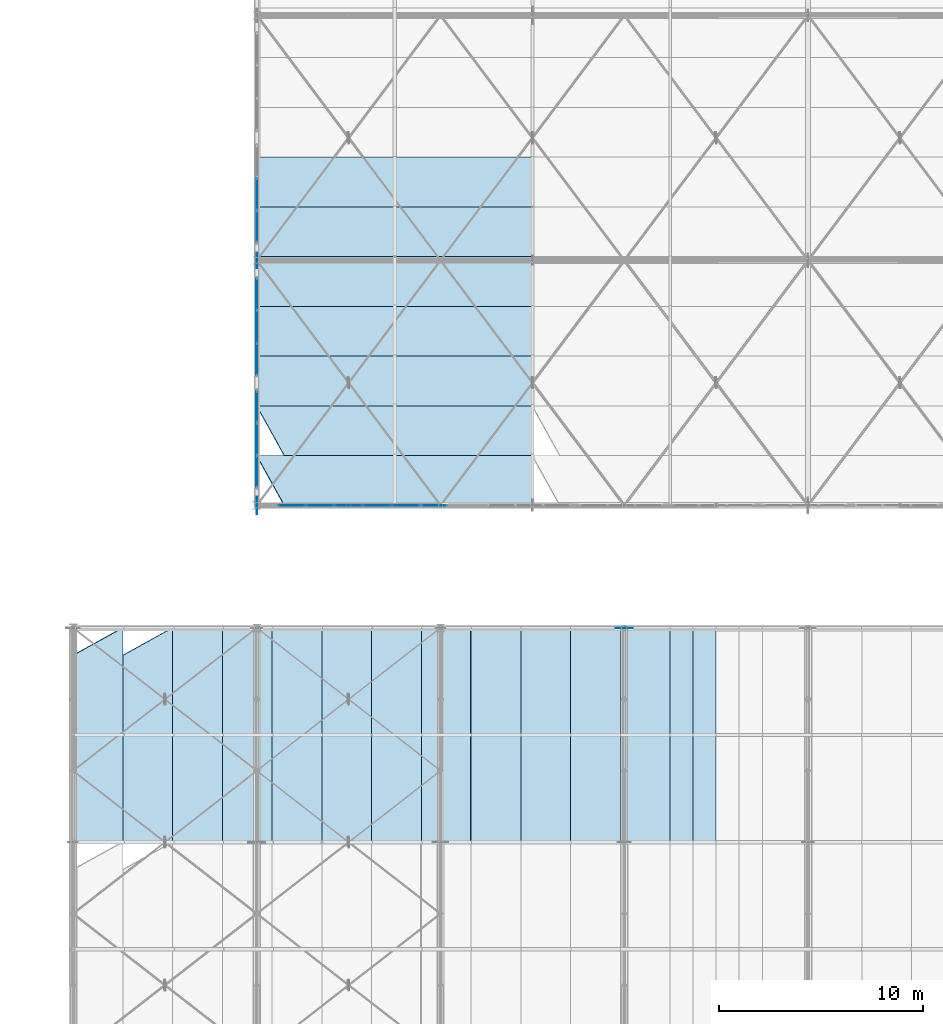
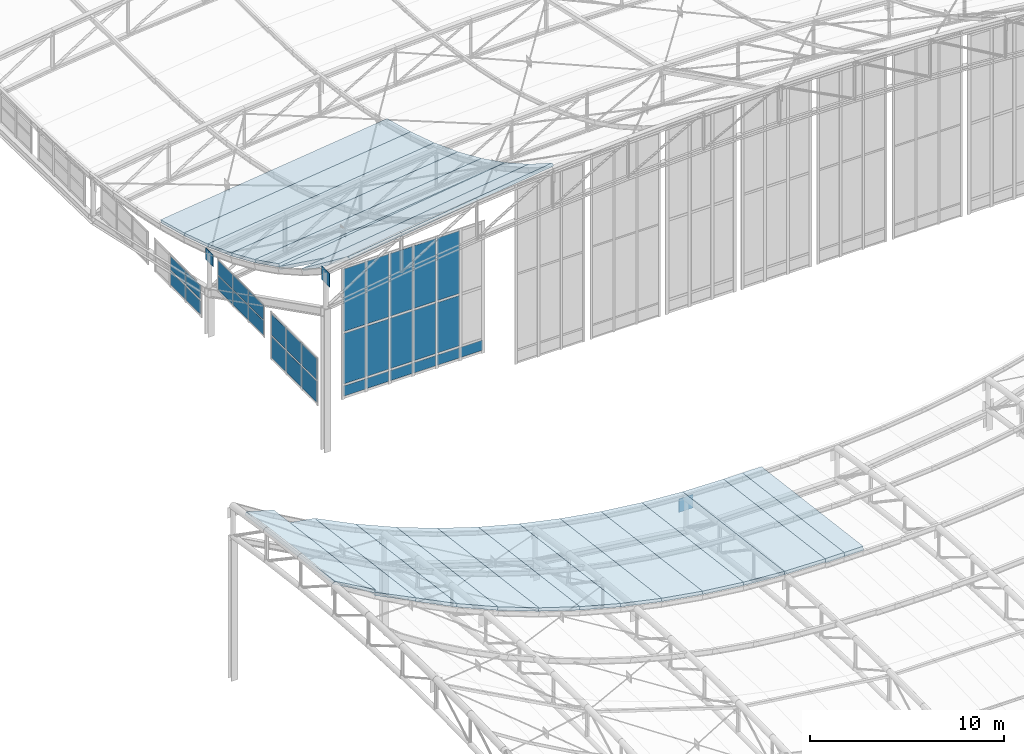
# One storey, part 219 of 262: 35 plates, 21 slabs, 4 elements without a shape of their own.
"""IFC4 building model written with IfcOpenShell, lengths in metres."""

from ifc_helpers import new_model, si_unit, derived_unit, direction, frame, origin, origin_2d, place, context, subcontext, project, spatial, polyline, rectangle, outline, extrude, material, layer, layer_set, type_object, element, aggregate, save


model = new_model("IFC4")

# Units and contexts
model_context = context("Model", 3, precision=1e-05, world=origin(), true_north=direction((0.0, 1.0)))
body_context = subcontext(model_context, "Body", "Model", "MODEL_VIEW")
ifc_project = project(units=[si_unit("LENGTHUNIT", "METRE"), si_unit("AREAUNIT", "SQUARE_METRE"), si_unit("VOLUMEUNIT", "CUBIC_METRE"), si_unit("PLANEANGLEUNIT", "RADIAN"), si_unit("MASSUNIT", "GRAM", prefix="KILO"), derived_unit("THERMALTRANSMITTANCEUNIT", [(si_unit("POWERUNIT", "WATT"), 1), (si_unit("LENGTHUNIT", "METRE"), -2), (si_unit("THERMODYNAMICTEMPERATUREUNIT", "KELVIN"), -1)])], contexts=[model_context])

# Site, building, storey
site_placement = place(None, origin())
site = spatial("IfcSite", under=ifc_project, at=site_placement, CompositionType="ELEMENT")
building_placement = place(site_placement, origin())
building = spatial("IfcBuilding", under=site, at=building_placement, Name="Almenara Railside Exhibition Hall", CompositionType="ELEMENT")
storey_placement = place(building_placement, frame((0.0, 0.0, 21.699951171875)))
storey = spatial("IfcBuildingStorey", under=building, at=storey_placement, Name="RF", CompositionType="ELEMENT", Elevation=21.699951171875)

# Curtain wall, plates
ifc_material_1 = material(Name="Bronze-anodised aluminium and low-E double glazing", Category="aluminium")
ifc_layer_1 = layer(ifc_material_1, 0.179931640625, Name="Bronze-anodised aluminium and low-E double glazing")
ifc_layer_set_1 = layer_set([ifc_layer_1], Name="Bronze-anodised aluminium and low-E double glazing")
curtain_wall_type_1 = type_object("IfcCurtainWallType", Name="West Hall Clerestory Curtain Wall 4200x2400", PredefinedType="NOTDEFINED", material=ifc_layer_set_1)
curtain_wall_1_placement = place(storey_placement, origin())
curtain_wall_1 = element("IfcCurtainWall", 1, at=curtain_wall_1_placement, inside=storey, type_object=curtain_wall_type_1, Name="Curtain wall CW-CL1-172", PredefinedType="NOTDEFINED")
ifc_material_2 = material(Name="Clear low-E laminated double glazing", Category="glass")
ifc_layer_2 = layer(ifc_material_2, 0.02392578125, Name="Clear low-E laminated double glazing")
ifc_layer_set_2 = layer_set([ifc_layer_2], Name="Clear low-E laminated double glazing")
plate_type_1 = type_object("IfcPlateType", Name="Courtyard Clear Double Glazing Panel 24mm", PredefinedType="CURTAIN_PANEL", material=ifc_layer_set_2)
plate_1_placement = place(storey_placement, frame((12.0, 61.666259765625, -1.666015625), z_axis=(0.0, 0.0, 1.0), x_axis=(0.0, 1.0, 0.0)))
plate_1 = element("IfcPlate", 2, at=plate_1_placement, type_object=plate_type_1, Name="CW-CL1-172 panel 1.1", PredefinedType="CURTAIN_PANEL", context=body_context, shape_type="SweptSolid", body=[
    extrude(rectangle(XDim=1.5185546875, YDim=0.02392578125, at=origin_2d()), origin(), (0.0, 0.0, 1.0), 0.846923828125),
])
plate_2_placement = place(storey_placement, frame((12.0, 61.666259765625, -0.7109375), z_axis=(0.0, 0.0, 1.0), x_axis=(0.0, 1.0, 0.0)))
plate_2 = element("IfcPlate", 3, at=plate_2_placement, type_object=plate_type_1, Name="CW-CL1-172 panel 1.2", PredefinedType="CURTAIN_PANEL", context=body_context, shape_type="SweptSolid", body=[
    extrude(rectangle(XDim=1.5185546875, YDim=0.02392578125, at=origin_2d()), origin(), (0.0, 0.0, 1.0), 0.846923828125),
])
plate_3_placement = place(storey_placement, frame((12.0, 63.25, -1.666015625), z_axis=(0.0, 0.0, 1.0), x_axis=(0.0, 1.0, 0.0)))
plate_3 = element("IfcPlate", 4, at=plate_3_placement, type_object=plate_type_1, Name="CW-CL1-172 panel 2.1", PredefinedType="CURTAIN_PANEL", context=body_context, shape_type="SweptSolid", body=[
    extrude(rectangle(XDim=1.551025390625, YDim=0.02392578125, at=origin_2d()), origin(), (0.0, 0.0, 1.0), 0.846923828125),
])
plate_4_placement = place(storey_placement, frame((12.0, 63.25, -0.7109375), z_axis=(0.0, 0.0, 1.0), x_axis=(0.0, 1.0, 0.0)))
plate_4 = element("IfcPlate", 5, at=plate_4_placement, type_object=plate_type_1, Name="CW-CL1-172 panel 2.2", PredefinedType="CURTAIN_PANEL", context=body_context, shape_type="SweptSolid", body=[
    extrude(rectangle(XDim=1.551025390625, YDim=0.02392578125, at=origin_2d()), origin(), (0.0, 0.0, 1.0), 0.846923828125),
])
aggregate(curtain_wall_1, [plate_1, plate_2, plate_3, plate_4])

# Slabs
ifc_material_3 = material(Name="Planted green roof insulated steel S355JR deck", Category="steel")
ifc_layer_3 = layer(ifc_material_3, 0.2451171875, Name="Planted green roof insulated steel S355JR deck")
ifc_layer_set_3 = layer_set([ifc_layer_3], Name="Planted green roof insulated steel S355JR deck")
slab_type_1 = type_object("IfcSlabType", Name="Flat Planted Hall Roof Deck 245mm S355JR", PredefinedType="ROOF", material=ifc_layer_set_3)
slab_1_placement = place(storey_placement, frame((32.240478515625, 42.0, -7.659912109375), z_axis=(0.0, 0.127508130523, 0.991837525329), x_axis=(1.0, 0.0, 0.0)))
element("IfcSlab", 6, at=slab_1_placement, inside=storey, type_object=slab_type_1, Name="V4 roof cassette RC-V4-13D", PredefinedType="ROOF", context=body_context, shape_type="SweptSolid", body=[
    extrude(outline(polyline([(0.0, 0.0), (1.129638671875, 0.0), (1.129638671875, -10.586411314210551), (0.0, -10.586411314210551), (0.0, 0.0)])), origin(), (0.0, 0.0, -1.0), 0.2451171875),
])
slab_2_placement = place(storey_placement, frame((33.3701171875, 42.0, -7.659912109375), z_axis=(0.0, 0.127508130523, 0.991837525329), x_axis=(1.0, 0.0, 0.0)))
element("IfcSlab", 7, at=slab_2_placement, inside=storey, type_object=slab_type_1, Name="V4 roof cassette RC-V4-14D", PredefinedType="ROOF", context=body_context, shape_type="SweptSolid", body=[
    extrude(outline(polyline([(0.0, 0.0), (1.1298828125, 0.0), (1.1298828125, -10.586411314210551), (0.0, -10.586411314210551), (0.0, 0.0)])), origin(), (0.0, 0.0, -1.0), 0.2451171875),
])

# Curtain wall, plates
curtain_wall_2_placement = place(storey_placement, origin())
curtain_wall_2 = element("IfcCurtainWall", 8, at=curtain_wall_2_placement, inside=storey, type_object=curtain_wall_type_1, Name="Curtain wall CW-CL1-168", PredefinedType="NOTDEFINED")
ifc_material_4 = material(Name="Bronze-anodised insulated aluminium spandrel", Category="aluminium")
ifc_layer_4 = layer(ifc_material_4, 0.0400390625, Name="Bronze-anodised insulated aluminium spandrel")
ifc_layer_set_4 = layer_set([ifc_layer_4], Name="Bronze-anodised insulated aluminium spandrel")
plate_type_2 = type_object("IfcPlateType", Name="Insulated Bronze Spandrel Panel 40mm", PredefinedType="CURTAIN_PANEL", material=ifc_layer_set_4)
plate_5_placement = place(storey_placement, frame((12.0, 49.666259765625, 0.07421875), z_axis=(0.0, 0.0, 1.0), x_axis=(0.0, 1.0, 0.0)))
plate_5 = element("IfcPlate", 9, at=plate_5_placement, type_object=plate_type_2, Name="CW-CL1-168 panel 1.1", PredefinedType="CURTAIN_PANEL", context=body_context, shape_type="SweptSolid", body=[
    extrude(rectangle(XDim=1.5185546875, YDim=0.0400390625, at=origin_2d()), origin(), (0.0, 0.0, 1.0), 1.31689453125),
])
plate_6_placement = place(storey_placement, frame((12.0, 49.666259765625, 1.4990234375), z_axis=(0.0, 0.0, 1.0), x_axis=(0.0, 1.0, 0.0)))
plate_6 = element("IfcPlate", 10, at=plate_6_placement, type_object=plate_type_2, Name="CW-CL1-168 panel 1.2", PredefinedType="CURTAIN_PANEL", context=body_context, shape_type="SweptSolid", body=[
    extrude(rectangle(XDim=1.5185546875, YDim=0.0400390625, at=origin_2d()), origin(), (0.0, 0.0, 1.0), 1.31689453125),
])
plate_7_placement = place(storey_placement, frame((12.0, 51.25, 0.07421875), z_axis=(0.0, 0.0, 1.0), x_axis=(0.0, 1.0, 0.0)))
plate_7 = element("IfcPlate", 11, at=plate_7_placement, type_object=plate_type_2, Name="CW-CL1-168 panel 2.1", PredefinedType="CURTAIN_PANEL", context=body_context, shape_type="SweptSolid", body=[
    extrude(rectangle(XDim=1.551025390625, YDim=0.0400390625, at=origin_2d()), origin(), (0.0, 0.0, 1.0), 1.31689453125),
])
plate_8_placement = place(storey_placement, frame((12.0, 51.25, 1.4990234375), z_axis=(0.0, 0.0, 1.0), x_axis=(0.0, 1.0, 0.0)))
plate_8 = element("IfcPlate", 12, at=plate_8_placement, type_object=plate_type_2, Name="CW-CL1-168 panel 2.2", PredefinedType="CURTAIN_PANEL", context=body_context, shape_type="SweptSolid", body=[
    extrude(rectangle(XDim=1.551025390625, YDim=0.0400390625, at=origin_2d()), origin(), (0.0, 0.0, 1.0), 1.31689453125),
])
plate_9_placement = place(storey_placement, frame((12.0, 52.833740234375, 0.07421875), z_axis=(0.0, 0.0, 1.0), x_axis=(0.0, 1.0, 0.0)))
plate_9 = element("IfcPlate", 13, at=plate_9_placement, type_object=plate_type_2, Name="CW-CL1-168 panel 3.1", PredefinedType="CURTAIN_PANEL", context=body_context, shape_type="SweptSolid", body=[
    extrude(rectangle(XDim=1.5185546875, YDim=0.0400390625, at=origin_2d()), origin(), (0.0, 0.0, 1.0), 1.31689453125),
])
plate_10_placement = place(storey_placement, frame((12.0, 52.833740234375, 1.4990234375), z_axis=(0.0, 0.0, 1.0), x_axis=(0.0, 1.0, 0.0)))
plate_10 = element("IfcPlate", 14, at=plate_10_placement, type_object=plate_type_2, Name="CW-CL1-168 panel 3.2", PredefinedType="CURTAIN_PANEL", context=body_context, shape_type="SweptSolid", body=[
    extrude(rectangle(XDim=1.5185546875, YDim=0.0400390625, at=origin_2d()), origin(), (0.0, 0.0, 1.0), 1.31689453125),
])
aggregate(curtain_wall_2, [plate_5, plate_6, plate_7, plate_8, plate_9, plate_10])

curtain_wall_3_placement = place(storey_placement, origin())
curtain_wall_3 = element("IfcCurtainWall", 15, at=curtain_wall_3_placement, inside=storey, type_object=curtain_wall_type_1, Name="Curtain wall CW-CL1-169", PredefinedType="NOTDEFINED")
ifc_layer_5 = layer(ifc_material_4, 0.034912109375, Name="Bronze-anodised insulated aluminium spandrel")
ifc_layer_set_5 = layer_set([ifc_layer_5], Name="Bronze-anodised insulated aluminium spandrel")
plate_type_3 = type_object("IfcPlateType", Name="Insulated Stucco-Tone Spandrel Panel 35mm", PredefinedType="CURTAIN_PANEL", material=ifc_layer_set_5)
plate_11_placement = place(storey_placement, frame((12.0, 55.1650390625, 0.98388671875), z_axis=(0.0, 0.0, 1.0), x_axis=(0.0, 1.0, 0.0)))
plate_11 = element("IfcPlate", 16, at=plate_11_placement, type_object=plate_type_3, Name="CW-CL1-169 panel 1.1", PredefinedType="CURTAIN_PANEL", context=body_context, shape_type="SweptSolid", body=[
    extrude(rectangle(XDim=1.52587890625, YDim=0.034912109375, at=origin_2d()), origin(), (0.0, 0.0, 1.0), 0.89208984375),
])
plate_12_placement = place(storey_placement, frame((12.0, 55.1650390625, 1.9541015625), z_axis=(0.0, 0.0, 1.0), x_axis=(0.0, 1.0, 0.0)))
plate_12 = element("IfcPlate", 17, at=plate_12_placement, type_object=plate_type_3, Name="CW-CL1-169 panel 1.2", PredefinedType="CURTAIN_PANEL", context=body_context, shape_type="SweptSolid", body=[
    extrude(rectangle(XDim=1.52587890625, YDim=0.034912109375, at=origin_2d()), origin(), (0.0, 0.0, 1.0), 0.89208984375),
])
plate_13_placement = place(storey_placement, frame((12.0, 56.75, 0.98388671875), z_axis=(0.0, 0.0, 1.0), x_axis=(0.0, 1.0, 0.0)))
plate_13 = element("IfcPlate", 18, at=plate_13_placement, type_object=plate_type_3, Name="CW-CL1-169 panel 2.1", PredefinedType="CURTAIN_PANEL", context=body_context, shape_type="SweptSolid", body=[
    extrude(rectangle(XDim=1.555908203125, YDim=0.034912109375, at=origin_2d()), origin(), (0.0, 0.0, 1.0), 0.89208984375),
])
plate_14_placement = place(storey_placement, frame((12.0, 56.75, 1.9541015625), z_axis=(0.0, 0.0, 1.0), x_axis=(0.0, 1.0, 0.0)))
plate_14 = element("IfcPlate", 19, at=plate_14_placement, type_object=plate_type_3, Name="CW-CL1-169 panel 2.2", PredefinedType="CURTAIN_PANEL", context=body_context, shape_type="SweptSolid", body=[
    extrude(rectangle(XDim=1.555908203125, YDim=0.034912109375, at=origin_2d()), origin(), (0.0, 0.0, 1.0), 0.89208984375),
])
plate_15_placement = place(storey_placement, frame((12.0, 58.3349609375, 0.98388671875), z_axis=(0.0, 0.0, 1.0), x_axis=(0.0, 1.0, 0.0)))
plate_15 = element("IfcPlate", 20, at=plate_15_placement, type_object=plate_type_3, Name="CW-CL1-169 panel 3.1", PredefinedType="CURTAIN_PANEL", context=body_context, shape_type="SweptSolid", body=[
    extrude(rectangle(XDim=1.52587890625, YDim=0.034912109375, at=origin_2d()), origin(), (0.0, 0.0, 1.0), 0.89208984375),
])
plate_16_placement = place(storey_placement, frame((12.0, 58.3349609375, 1.9541015625), z_axis=(0.0, 0.0, 1.0), x_axis=(0.0, 1.0, 0.0)))
plate_16 = element("IfcPlate", 21, at=plate_16_placement, type_object=plate_type_3, Name="CW-CL1-169 panel 3.2", PredefinedType="CURTAIN_PANEL", context=body_context, shape_type="SweptSolid", body=[
    extrude(rectangle(XDim=1.52587890625, YDim=0.034912109375, at=origin_2d()), origin(), (0.0, 0.0, 1.0), 0.89208984375),
])
aggregate(curtain_wall_3, [plate_11, plate_12, plate_13, plate_14, plate_15, plate_16])

ifc_layer_6 = layer(ifc_material_1, 0.179931640625, Name="Bronze-anodised aluminium and low-E double glazing")
ifc_layer_set_6 = layer_set([ifc_layer_6], Name="Bronze-anodised aluminium and low-E double glazing")
curtain_wall_type_2 = type_object("IfcCurtainWallType", Name="Scroll Gable Tall Curtain Wall 3800x5400", PredefinedType="NOTDEFINED", material=ifc_layer_set_6)
curtain_wall_4_placement = place(storey_placement, origin())
curtain_wall_4 = element("IfcCurtainWall", 22, at=curtain_wall_4_placement, inside=storey, type_object=curtain_wall_type_2, Name="Curtain wall CW-G1-196", PredefinedType="NOTDEFINED")
ifc_material_5 = material(Name="Solar-control low-E laminated double glazing", Category="glass")
ifc_layer_7 = layer(ifc_material_5, 0.028076171875, Name="Solar-control low-E laminated double glazing")
ifc_layer_set_7 = layer_set([ifc_layer_7], Name="Solar-control low-E laminated double glazing")
plate_type_4 = type_object("IfcPlateType", Name="Low-E Solar Control Double Glazing Panel 28mm", PredefinedType="CURTAIN_PANEL", material=ifc_layer_set_7)
plate_17_placement = place(storey_placement, frame((13.717529296875, 48.0, 0.64404296875), z_axis=(0.0, 0.0, 1.0), x_axis=(1.0, 0.0, 0.0)))
plate_17 = element("IfcPlate", 23, at=plate_17_placement, type_object=plate_type_4, Name="CW-G1-196 panel 1.1", PredefinedType="CURTAIN_PANEL", context=body_context, shape_type="SweptSolid", body=[
    extrude(rectangle(XDim=1.31103515625, YDim=0.028076171875, at=origin_2d()), origin(), (0.0, 0.0, 1.0), 0.64208984375),
])
plate_18_placement = place(storey_placement, frame((13.717529296875, 48.0, 1.4140625), z_axis=(0.0, 0.0, 1.0), x_axis=(1.0, 0.0, 0.0)))
plate_18 = element("IfcPlate", 24, at=plate_18_placement, type_object=plate_type_4, Name="CW-G1-196 panel 1.2", PredefinedType="CURTAIN_PANEL", context=body_context, shape_type="SweptSolid", body=[
    extrude(rectangle(XDim=1.31103515625, YDim=0.028076171875, at=origin_2d()), origin(), (0.0, 0.0, 1.0), 3.172119140625),
])
plate_19_placement = place(storey_placement, frame((13.717529296875, 48.0, 4.714111328125), z_axis=(0.0, 0.0, 1.0), x_axis=(1.0, 0.0, 0.0)))
plate_19 = element("IfcPlate", 25, at=plate_19_placement, type_object=plate_type_4, Name="CW-G1-196 panel 1.3", PredefinedType="CURTAIN_PANEL", context=body_context, shape_type="SweptSolid", body=[
    extrude(rectangle(XDim=1.31103515625, YDim=0.028076171875, at=origin_2d()), origin(), (0.0, 0.0, 1.0), 3.94189453125),
])
plate_20_placement = place(storey_placement, frame((15.10009765625, 48.0, 0.64404296875), z_axis=(0.0, 0.0, 1.0), x_axis=(1.0, 0.0, 0.0)))
plate_20 = element("IfcPlate", 26, at=plate_20_placement, type_object=plate_type_4, Name="CW-G1-196 panel 2.1", PredefinedType="CURTAIN_PANEL", context=body_context, shape_type="SweptSolid", body=[
    extrude(rectangle(XDim=1.345947265625, YDim=0.028076171875, at=origin_2d()), origin(), (0.0, 0.0, 1.0), 0.64208984375),
])
plate_21_placement = place(storey_placement, frame((15.10009765625, 48.0, 1.4140625), z_axis=(0.0, 0.0, 1.0), x_axis=(1.0, 0.0, 0.0)))
plate_21 = element("IfcPlate", 27, at=plate_21_placement, type_object=plate_type_4, Name="CW-G1-196 panel 2.2", PredefinedType="CURTAIN_PANEL", context=body_context, shape_type="SweptSolid", body=[
    extrude(rectangle(XDim=1.345947265625, YDim=0.028076171875, at=origin_2d()), origin(), (0.0, 0.0, 1.0), 3.172119140625),
])
plate_22_placement = place(storey_placement, frame((15.10009765625, 48.0, 4.714111328125), z_axis=(0.0, 0.0, 1.0), x_axis=(1.0, 0.0, 0.0)))
plate_22 = element("IfcPlate", 28, at=plate_22_placement, type_object=plate_type_4, Name="CW-G1-196 panel 2.3", PredefinedType="CURTAIN_PANEL", context=body_context, shape_type="SweptSolid", body=[
    extrude(rectangle(XDim=1.345947265625, YDim=0.028076171875, at=origin_2d()), origin(), (0.0, 0.0, 1.0), 3.94189453125),
])
plate_23_placement = place(storey_placement, frame((16.5, 48.0, 0.64404296875), z_axis=(0.0, 0.0, 1.0), x_axis=(1.0, 0.0, 0.0)))
plate_23 = element("IfcPlate", 29, at=plate_23_placement, type_object=plate_type_4, Name="CW-G1-196 panel 3.1", PredefinedType="CURTAIN_PANEL", context=body_context, shape_type="SweptSolid", body=[
    extrude(rectangle(XDim=1.345947265625, YDim=0.028076171875, at=origin_2d()), origin(), (0.0, 0.0, 1.0), 0.64208984375),
])
plate_24_placement = place(storey_placement, frame((16.5, 48.0, 1.4140625), z_axis=(0.0, 0.0, 1.0), x_axis=(1.0, 0.0, 0.0)))
plate_24 = element("IfcPlate", 30, at=plate_24_placement, type_object=plate_type_4, Name="CW-G1-196 panel 3.2", PredefinedType="CURTAIN_PANEL", context=body_context, shape_type="SweptSolid", body=[
    extrude(rectangle(XDim=1.345947265625, YDim=0.028076171875, at=origin_2d()), origin(), (0.0, 0.0, 1.0), 3.172119140625),
])
plate_25_placement = place(storey_placement, frame((16.5, 48.0, 4.714111328125), z_axis=(0.0, 0.0, 1.0), x_axis=(1.0, 0.0, 0.0)))
plate_25 = element("IfcPlate", 31, at=plate_25_placement, type_object=plate_type_4, Name="CW-G1-196 panel 3.3", PredefinedType="CURTAIN_PANEL", context=body_context, shape_type="SweptSolid", body=[
    extrude(rectangle(XDim=1.345947265625, YDim=0.028076171875, at=origin_2d()), origin(), (0.0, 0.0, 1.0), 3.94189453125),
])
plate_26_placement = place(storey_placement, frame((17.89990234375, 48.0, 0.64404296875), z_axis=(0.0, 0.0, 1.0), x_axis=(1.0, 0.0, 0.0)))
plate_26 = element("IfcPlate", 32, at=plate_26_placement, type_object=plate_type_4, Name="CW-G1-196 panel 4.1", PredefinedType="CURTAIN_PANEL", context=body_context, shape_type="SweptSolid", body=[
    extrude(rectangle(XDim=1.345947265625, YDim=0.028076171875, at=origin_2d()), origin(), (0.0, 0.0, 1.0), 0.64208984375),
])
plate_27_placement = place(storey_placement, frame((17.89990234375, 48.0, 1.4140625), z_axis=(0.0, 0.0, 1.0), x_axis=(1.0, 0.0, 0.0)))
plate_27 = element("IfcPlate", 33, at=plate_27_placement, type_object=plate_type_4, Name="CW-G1-196 panel 4.2", PredefinedType="CURTAIN_PANEL", context=body_context, shape_type="SweptSolid", body=[
    extrude(rectangle(XDim=1.345947265625, YDim=0.028076171875, at=origin_2d()), origin(), (0.0, 0.0, 1.0), 3.172119140625),
])
plate_28_placement = place(storey_placement, frame((17.89990234375, 48.0, 4.714111328125), z_axis=(0.0, 0.0, 1.0), x_axis=(1.0, 0.0, 0.0)))
plate_28 = element("IfcPlate", 34, at=plate_28_placement, type_object=plate_type_4, Name="CW-G1-196 panel 4.3", PredefinedType="CURTAIN_PANEL", context=body_context, shape_type="SweptSolid", body=[
    extrude(rectangle(XDim=1.345947265625, YDim=0.028076171875, at=origin_2d()), origin(), (0.0, 0.0, 1.0), 3.94189453125),
])
plate_29_placement = place(storey_placement, frame((19.300048828125, 48.0, 0.64404296875), z_axis=(0.0, 0.0, 1.0), x_axis=(1.0, 0.0, 0.0)))
plate_29 = element("IfcPlate", 35, at=plate_29_placement, type_object=plate_type_4, Name="CW-G1-196 panel 5.1", PredefinedType="CURTAIN_PANEL", context=body_context, shape_type="SweptSolid", body=[
    extrude(rectangle(XDim=1.345947265625, YDim=0.028076171875, at=origin_2d()), origin(), (0.0, 0.0, 1.0), 0.64208984375),
])
plate_30_placement = place(storey_placement, frame((19.300048828125, 48.0, 1.4140625), z_axis=(0.0, 0.0, 1.0), x_axis=(1.0, 0.0, 0.0)))
plate_30 = element("IfcPlate", 36, at=plate_30_placement, type_object=plate_type_4, Name="CW-G1-196 panel 5.2", PredefinedType="CURTAIN_PANEL", context=body_context, shape_type="SweptSolid", body=[
    extrude(rectangle(XDim=1.345947265625, YDim=0.028076171875, at=origin_2d()), origin(), (0.0, 0.0, 1.0), 3.172119140625),
])
plate_31_placement = place(storey_placement, frame((19.300048828125, 48.0, 4.714111328125), z_axis=(0.0, 0.0, 1.0), x_axis=(1.0, 0.0, 0.0)))
plate_31 = element("IfcPlate", 37, at=plate_31_placement, type_object=plate_type_4, Name="CW-G1-196 panel 5.3", PredefinedType="CURTAIN_PANEL", context=body_context, shape_type="SweptSolid", body=[
    extrude(rectangle(XDim=1.345947265625, YDim=0.028076171875, at=origin_2d()), origin(), (0.0, 0.0, 1.0), 3.94189453125),
])
plate_32_placement = place(storey_placement, frame((20.6826171875, 48.0, 0.64404296875), z_axis=(0.0, 0.0, 1.0), x_axis=(1.0, 0.0, 0.0)))
plate_32 = element("IfcPlate", 38, at=plate_32_placement, type_object=plate_type_4, Name="CW-G1-196 panel 6.1", PredefinedType="CURTAIN_PANEL", context=body_context, shape_type="SweptSolid", body=[
    extrude(rectangle(XDim=1.31103515625, YDim=0.028076171875, at=origin_2d()), origin(), (0.0, 0.0, 1.0), 0.64208984375),
])
aggregate(curtain_wall_4, [plate_17, plate_18, plate_19, plate_20, plate_21, plate_22, plate_23, plate_24, plate_25, plate_26, plate_27, plate_28, plate_29, plate_30, plate_31, plate_32])

# Slabs
ifc_material_6 = material(Name="White standing-seam insulated steel S355JR roof deck", Category="steel")
ifc_layer_8 = layer(ifc_material_6, 0.195068359375, Name="White standing-seam insulated steel S355JR roof deck")
ifc_layer_set_8 = layer_set([ifc_layer_8], Name="White standing-seam insulated steel S355JR roof deck")
slab_type_2 = type_object("IfcSlabType", Name="Scroll Standing-Seam Insulated Roof Cassette 195mm S355JR", PredefinedType="ROOF", material=ifc_layer_set_8)
slab_3_placement = place(storey_placement, frame((12.0, 52.873291015625, 6.402587890625), z_axis=(-0.108779023727, 0.442668279908, 0.890062873038), x_axis=(0.992614382556, 0.0, 0.121312355276)))
element("IfcSlab", 39, at=slab_3_placement, inside=storey, type_object=slab_type_2, Name="V1 roof cassette RC-V1-03A", PredefinedType="ROOF", context=body_context, shape_type="SweptSolid", body=[
    extrude(outline(polyline([(0.0, 0.0), (13.600447703804157, 0.0), (13.45342755449076, 2.717527736819313), (-0.14702014931339696, 2.717527736819313), (0.0, 0.0)])), origin(), (0.0, 0.0, -1.0), 0.195068359375),
])
slab_4_placement = place(storey_placement, frame((12.0, 55.31005859375, 5.190673828125), z_axis=(-0.111406823331, 0.395931745169, 0.911496885833), x_axis=(0.992613471158, 3.23916e-06, 0.121319812333)))
element("IfcSlab", 40, at=slab_4_placement, inside=storey, type_object=slab_type_2, Name="V1 roof cassette RC-V1-04A", PredefinedType="ROOF", context=body_context, shape_type="SweptSolid", body=[
    extrude(outline(polyline([(0.0, 0.0), (13.600447703349015, 0.0), (13.472056820436796, 2.65357417350074), (-0.12842050200702587, 2.6536701226083514), (0.0, 0.0)])), origin(), (0.0, 0.0, -1.0), 0.195068359375),
])
slab_5_placement = place(storey_placement, frame((12.0, 57.746826171875, 4.132080078125), z_axis=(-0.113689134993, 0.349265556374, 0.93010125885), x_axis=(0.992612220818, 0.0, 0.121330041965)))
element("IfcSlab", 41, at=slab_5_placement, inside=storey, type_object=slab_type_2, Name="V1 roof cassette RC-V1-05A", PredefinedType="ROOF", context=body_context, shape_type="SweptSolid", body=[
    extrude(outline(polyline([(0.0, 0.0), (13.600477323237415, 0.0), (13.489455595384504, 2.600539730834084), (-0.11102172785291241, 2.600539730834084), (0.0, 0.0)])), origin(), (0.0, 0.0, -1.0), 0.195068359375),
])
slab_6_placement = place(storey_placement, frame((12.0, 60.18359375, 3.217041015625), z_axis=(-0.115631959608, 0.302636738993, 0.94606567115), x_axis=(0.992613202726, -2.569797e-06, 0.121322008587)))
element("IfcSlab", 42, at=slab_6_placement, inside=storey, type_object=slab_type_2, Name="V1 roof cassette RC-V1-06A", PredefinedType="ROOF", context=body_context, shape_type="SweptSolid", body=[
    extrude(outline(polyline([(0.0, 0.0), (13.600477322747098, 0.0), (13.505895579584958, 2.5564398950594835), (-0.09455212353113715, 2.556366554989756), (0.0, 0.0)])), origin(), (0.0, 0.0, -1.0), 0.195068359375),
])
slab_7_placement = place(storey_placement, frame((12.0, 62.6201171875, 2.437744140625), z_axis=(-0.117269500977, 0.256010464129, 0.959534525901), x_axis=(0.992614382556, 0.0, 0.121312355276)))
element("IfcSlab", 43, at=slab_7_placement, inside=storey, type_object=slab_type_2, Name="V1 roof cassette RC-V1-07A", PredefinedType="ROOF", context=body_context, shape_type="SweptSolid", body=[
    extrude(outline(polyline([(0.0, 0.0), (13.600447703804157, 0.0), (13.521576902510528, 2.5207748962669503), (-0.07887080129362936, 2.5207748962669503), (0.0, 0.0)])), origin(), (0.0, 0.0, -1.0), 0.195068359375),
])
slab_8_placement = place(storey_placement, frame((7.873291015625, 42.0, -1.597412109375), z_axis=(0.442388609111, 0.114372628726, 0.889500545434), x_axis=(0.895376074457, 0.0, -0.445310773831)))
element("IfcSlab", 44, at=slab_8_placement, inside=storey, type_object=slab_type_2, Name="V4 roof cassette RC-V4-03D", PredefinedType="ROOF", context=body_context, shape_type="SweptSolid", body=[
    extrude(outline(polyline([(0.0, 0.0), (2.721501777454211, 0.0), (2.1202887454023904, -10.569356961116547), (-0.6012130320518209, -10.569356961116545), (0.0, 0.0)])), origin(), (0.0, 0.0, -1.0), 0.195068359375),
])
slab_9_placement = place(storey_placement, frame((10.31005859375, 42.0, -2.809326171875), z_axis=(0.395708270549, 0.117121275586, 0.910877363548), x_axis=(0.917189812532, 0.0, -0.398450558775)))
element("IfcSlab", 45, at=slab_9_placement, inside=storey, type_object=slab_type_2, Name="V4 roof cassette RC-V4-04D", PredefinedType="ROOF", context=body_context, shape_type="SweptSolid", body=[
    extrude(outline(polyline([(0.0, 0.0), (2.656775669366957, 0.0), (2.118828503832863, -10.572765793703445), (-0.5379471655340936, -10.572765793703445), (0.0, 0.0)])), origin(), (0.0, 0.0, -1.0), 0.195068359375),
])
slab_10_placement = place(storey_placement, frame((12.746826171875, 42.0, -3.867919921875), z_axis=(0.349025284614, 0.119510825866, 0.929461410281), x_axis=(0.936171044044, 0.0, -0.351544842508)))
element("IfcSlab", 46, at=slab_10_placement, inside=storey, type_object=slab_type_2, Name="V4 roof cassette RC-V4-05D", PredefinedType="ROOF", context=body_context, shape_type="SweptSolid", body=[
    extrude(outline(polyline([(0.0, 0.0), (2.602908510820551, 0.0), (2.1282886428832803, -10.57579782628105), (-0.4746198679372705, -10.57579782628105), (0.0, 0.0)])), origin(), (0.0, 0.0, -1.0), 0.195068359375),
])
slab_11_placement = place(storey_placement, frame((15.18359375, 42.0, -4.782958984375), z_axis=(0.30242144949, 0.121548286633, 0.945392659642), x_axis=(0.952454820151, -5.483415e-06, -0.30467985746)))
element("IfcSlab", 47, at=slab_11_placement, inside=storey, type_object=slab_type_2, Name="V4 roof cassette RC-V4-06D", PredefinedType="ROOF", context=body_context, shape_type="SweptSolid", body=[
    extrude(outline(polyline([(0.0, 0.0), (2.558114553250775, 1.3877787807814457e-17), (2.1468989523780984, -10.578421726794875), (-0.4112899856035018, -10.578449991177148), (0.0, 0.0)])), origin(), (0.0, 0.0, -1.0), 0.195068359375),
])
slab_12_placement = place(storey_placement, frame((17.6201171875, 42.0, -5.562255859375), z_axis=(0.255823218428, 0.12326511647, 0.958832723667), x_axis=(0.966201190487, 0.0, -0.257789176462)))
element("IfcSlab", 48, at=slab_12_placement, inside=storey, type_object=slab_type_2, Name="V4 roof cassette RC-V4-07D", PredefinedType="ROOF", context=body_context, shape_type="SweptSolid", body=[
    extrude(outline(polyline([(0.0, 0.0), (2.522008461711885, -1.3877787807814457e-17), (2.174030835574529, -10.580690718726874), (-0.3479776261373565, -10.580690718726874), (0.0, 0.0)])), origin(), (0.0, 0.0, -1.0), 0.195068359375),
])
slab_13_placement = place(storey_placement, frame((20.056884765625, 42.0, -6.21240234375), z_axis=(0.209307302396, 0.124683814392, 0.969868238263), x_axis=(0.977496103583, 0.0, -0.210953472309)))
element("IfcSlab", 49, at=slab_13_placement, inside=storey, type_object=slab_type_2, Name="V4 roof cassette RC-V4-08D", PredefinedType="ROOF", context=body_context, shape_type="SweptSolid", body=[
    extrude(outline(polyline([(0.0, 0.0), (2.492866794243101, 0.0), (2.2081105080131644, -10.58258089367134), (-0.2847562862299364, -10.58258089367134), (0.0, 0.0)])), origin(), (0.0, 0.0, -1.0), 0.195068359375),
])
slab_14_placement = place(storey_placement, frame((22.49365234375, 42.0, -6.73828125), z_axis=(0.162710915103, 0.125820121956, 0.978618646367), x_axis=(0.986457830513, 6.084636e-06, -0.164015086448)))
element("IfcSlab", 50, at=slab_14_placement, inside=storey, type_object=slab_type_2, Name="V4 roof cassette RC-V4-09D", PredefinedType="ROOF", context=body_context, shape_type="SweptSolid", body=[
    extrude(outline(polyline([(0.0, 0.0), (2.4702394164682673, -6.938893903907228e-18), (2.2487391439883426, -10.584124966024934), (-0.22146022973420998, -10.584094664449127), (0.0, 0.0)])), origin(), (0.0, 0.0, -1.0), 0.195068359375),
])
slab_15_placement = place(storey_placement, frame((24.930419921875, 42.0, -7.1435546875), z_axis=(0.116278124233, 0.1266657364, 0.98510668917), x_axis=(0.993105700961, 0.0, -0.117222296166)))
element("IfcSlab", 51, at=slab_15_placement, inside=storey, type_object=slab_type_2, Name="V4 roof cassette RC-V4-10D", PredefinedType="ROOF", context=body_context, shape_type="SweptSolid", body=[
    extrude(outline(polyline([(0.0, 0.0), (2.4534381739443343, 0.0), (2.2951766266309646, -10.58525941883588), (-0.1582615473133695, -10.58525941883588), (0.0, 0.0)])), origin(), (0.0, 0.0, -1.0), 0.195068359375),
])
slab_16_placement = place(storey_placement, frame((27.366943359375, 42.0, -7.43115234375), z_axis=(0.069738288759, 0.127209004981, 0.989421265252), x_axis=(0.997525282413, -6.289563e-06, -0.070308683008)))
element("IfcSlab", 52, at=slab_16_placement, inside=storey, type_object=slab_type_2, Name="V4 roof cassette RC-V4-11D", PredefinedType="ROOF", context=body_context, shape_type="SweptSolid", body=[
    extrude(outline(polyline([(0.0, 0.0), (2.4428044062313754, 3.469446951953614e-18), (2.347964023702778, -10.585986482180083), (-0.09485754773440959, -10.586017462316129), (0.0, 0.0)])), origin(), (0.0, 0.0, -1.0), 0.195068359375),
])
slab_17_placement = place(storey_placement, frame((29.8037109375, 42.0, -7.602783203125), z_axis=(0.023246895064, 0.127473672014, 0.99156948562), x_axis=(0.999725289903, 0.0, -0.023438104182)))
element("IfcSlab", 53, at=slab_17_placement, inside=storey, type_object=slab_type_2, Name="V4 roof cassette RC-V4-12D", PredefinedType="ROOF", context=body_context, shape_type="SweptSolid", body=[
    extrude(outline(polyline([(0.0, 0.0), (2.437437166724611, -8.673617379884035e-19), (2.40579915939538, -10.586364038239825), (-0.03163800732923111, -10.586364038239825), (0.0, 0.0)])), origin(), (0.0, 0.0, -1.0), 0.195068359375),
])
ifc_layer_9 = layer(ifc_material_6, 0.179931640625, Name="White standing-seam insulated steel S355JR roof deck")
ifc_layer_set_9 = layer_set([ifc_layer_9], Name="White standing-seam insulated steel S355JR roof deck")
slab_type_3 = type_object("IfcSlabType", Name="Scroll Tip Standing-Seam Cassette 180mm S355JR", PredefinedType="ROOF", material=ifc_layer_set_9)
slab_18_placement = place(storey_placement, frame((13.35009765625, 48.0, 9.340087890625), z_axis=(-0.113635267255, 0.535572941017, 0.836808610667), x_axis=(0.990905332426, 2.14552e-07, 0.134560849317)))
element("IfcSlab", 54, at=slab_18_placement, inside=storey, type_object=slab_type_3, Name="V1 roof cassette RC-V1-01A", PredefinedType="ROOF", context=body_context, shape_type="SweptSolid", body=[
    extrude(outline(polyline([(0.0, 0.0), (12.261415281546798, 1.1102230246251565e-16), (12.051558698540017, 2.885490600223316), (-1.5723472290407088, 2.885497176672601), (0.0, 0.0)])), origin(), (0.0, 0.0, -1.0), 0.179931640625),
])
slab_19_placement = place(storey_placement, frame((13.35009765625, 50.436767578125, 7.780517578125), z_axis=(-0.117385740271, 0.488862427127, 0.864427044535), x_axis=(0.990905329372, 2.02303e-07, 0.13456087181)))
element("IfcSlab", 55, at=slab_19_placement, inside=storey, type_object=slab_type_3, Name="V1 roof cassette RC-V1-02A", PredefinedType="ROOF", context=body_context, shape_type="SweptSolid", body=[
    extrude(outline(polyline([(0.0, 0.0), (12.261415281546732, -1.1102230246251565e-16), (12.076000354419625, 2.7930195112016976), (-1.547905573161308, 2.793025514079575), (0.0, 0.0)])), origin(), (0.0, 0.0, -1.0), 0.179931640625),
])
slab_20_placement = place(storey_placement, frame((3.0, 40.64990234375, 1.340087890625), z_axis=(0.491347368413, 0.111054138339, 0.863854583777), x_axis=(0.763250066269, 0.422880321161, -0.488489068778)))
element("IfcSlab", 56, at=slab_20_placement, inside=storey, type_object=slab_type_3, Name="V4 roof cassette RC-V4-01D", PredefinedType="ROOF", context=body_context, shape_type="SweptSolid", body=[
    extrude(outline(polyline([(0.0, 0.0), (3.1926257956059736, -5.551115123125783e-17), (-1.9070062634188671, -9.277168607723784), (-4.443908449669012, -8.084305820612775), (0.0, 0.0)])), origin(), (0.0, 0.0, -1.0), 0.179931640625),
])
slab_21_placement = place(storey_placement, frame((5.436767578125, 40.64990234375, -0.219482421875), z_axis=(0.440163125545, 0.114501868839, 0.890587303381), x_axis=(0.784031267528, 0.434433578582, -0.443353625608)))
element("IfcSlab", 57, at=slab_21_placement, inside=storey, type_object=slab_type_3, Name="V4 roof cassette RC-V4-02D", PredefinedType="ROOF", context=body_context, shape_type="SweptSolid", body=[
    extrude(outline(polyline([(0.0, 0.0), (3.1077484380893132, 2.7755575615628914e-16), (-2.052374827843235, -9.243694691499039), (-4.4965281802415245, -8.055157181734993), (0.0, 0.0)])), origin(), (0.0, 0.0, -1.0), 0.179931640625),
])

# Plates
ifc_material_7 = material(Name="Structural steel S355JR", Category="steel")
ifc_layer_10 = layer(ifc_material_7, 0.02392578125, Name="Structural steel S355JR")
ifc_layer_set_10 = layer_set([ifc_layer_10], Name="Structural steel S355JR")
plate_type_5 = type_object("IfcPlateType", Name="Truss Node Gusset Plate 24mm S355JR", PredefinedType="USERDEFINED", material=ifc_layer_set_10)
plate_33_placement = place(storey_placement, frame((12.0, 60.0, 2.1162109375), z_axis=(0.0, 0.0, 1.0), x_axis=(0.0, 1.0, 0.0)))
element("IfcPlate", 58, at=plate_33_placement, inside=storey, type_object=plate_type_5, Name="PLT-GUS-0006", ObjectType="GUSSET_PLATE", PredefinedType="USERDEFINED", context=body_context, shape_type="SweptSolid", body=[
    extrude(rectangle(XDim=0.75, YDim=0.02392578125, at=origin_2d()), origin(), (0.0, 0.0, 1.0), 0.75),
])
ifc_layer_11 = layer(ifc_material_7, 0.028076171875, Name="Structural steel S355JR")
ifc_layer_set_11 = layer_set([ifc_layer_11], Name="Structural steel S355JR")
plate_type_6 = type_object("IfcPlateType", Name="Truss Node Gusset Plate 28mm S355JR", PredefinedType="USERDEFINED", material=ifc_layer_set_11)
for number, where, z_axis, x_axis, name in (
    (59, (12.0, 48.0, 8.125), (0.0, 0.0, 1.0), (0.0, 1.0, 0.0), "PLT-GUS-0001"),
    (60, (30.0, 42.0, -8.82666015625), (0.0, 0.0, 1.0), (1.0, 0.0, 0.0), "PLT-GUS-0244"),
):
    element("IfcPlate", number, at=place(storey_placement, frame(where, z_axis=z_axis, x_axis=x_axis)), inside=storey, type_object=plate_type_6, Name=name, ObjectType="GUSSET_PLATE", PredefinedType="USERDEFINED", context=body_context, shape_type="SweptSolid", body=[
        extrude(rectangle(XDim=0.85009765625, YDim=0.028076171875, at=origin_2d()), origin(), (0.0, 0.0, 1.0), 0.85009765625),
    ])

save(model, "model.ifc")
